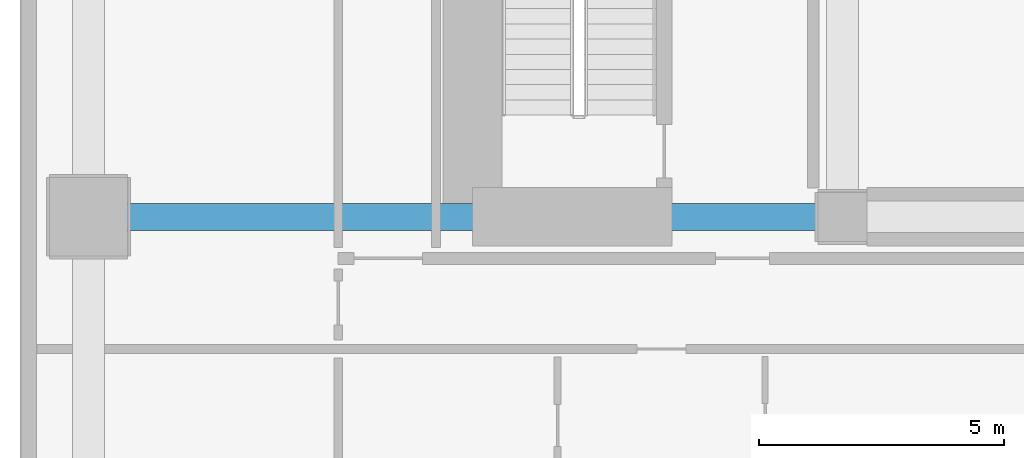
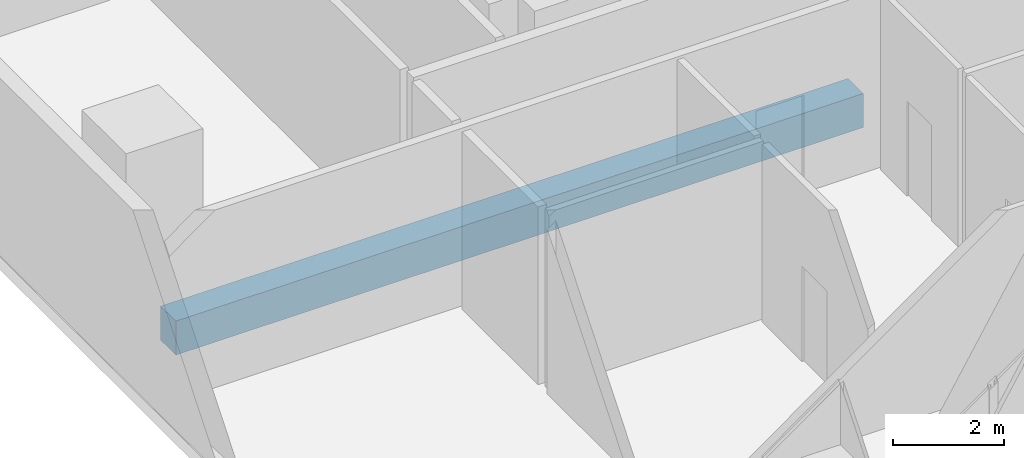
# One storey, part 3 of 20: 1 beam.
"""IFC4 building model written with IfcOpenShell, lengths in metres."""

from ifc_helpers import new_model, si_unit, direction, frame, origin, origin_2d, place, context, subcontext, project, spatial, rectangle, extrude, material, material_profile, profile_set, type_object, element, save


model = new_model("IFC4")

# Units and contexts
model_context = context("Model", 3, precision=1e-05, world=origin(), true_north=direction((0.0, 1.0)))
body_context = subcontext(model_context, "Body", "Model", "MODEL_VIEW")
ifc_project = project(units=[si_unit("LENGTHUNIT", "METRE"), si_unit("AREAUNIT", "SQUARE_METRE"), si_unit("VOLUMEUNIT", "CUBIC_METRE"), si_unit("PLANEANGLEUNIT", "RADIAN"), si_unit("MASSUNIT", "GRAM", prefix="KILO")], contexts=[model_context])

# Site, building, storey
site_placement = place(None, origin())
site = spatial("IfcSite", under=ifc_project, at=site_placement, CompositionType="ELEMENT")
building_placement = place(site_placement, origin())
building = spatial("IfcBuilding", under=site, at=building_placement, Name="Solanera Arch Residences", CompositionType="ELEMENT")
storey_placement = place(building_placement, frame((0.0, 0.0, 9.39990234375)))
storey = spatial("IfcBuildingStorey", under=building, at=storey_placement, Name="L02", CompositionType="ELEMENT", Elevation=9.39990234375)

# Beam
ifc_material = material(Name="Concrete C40/50 (f'c = 45 MPa)", Category="concrete")
ifc_material_profile = material_profile(ifc_material, rectangle(XDim=0.550048828125, YDim=0.75, at=origin_2d()))
ifc_profile_set = profile_set([ifc_material_profile], Name="Concrete C40/50 (f'c = 45 MPa)")
beam_type = type_object("IfcBeamType", Name="Primary Beam RC-BM-550X750", PredefinedType="BEAM", material=ifc_profile_set)
beam_placement = place(storey_placement, frame((5.93994140625, 22.0, -0.65478515625), z_axis=(1.0, 0.0, 0.0), x_axis=(0.0, 1.0, 0.0)))
element("IfcBeam", 1, at=beam_placement, inside=storey, type_object=beam_type, Name="BM-L02-POD-RW-22", PredefinedType="BEAM", context=body_context, shape_type="SweptSolid", body=[
    extrude(rectangle(XDim=0.550048828125, YDim=0.75, at=origin_2d()), origin(), (0.0, 0.0, 1.0), 14.35595703125),
])

save(model, "model.ifc")
